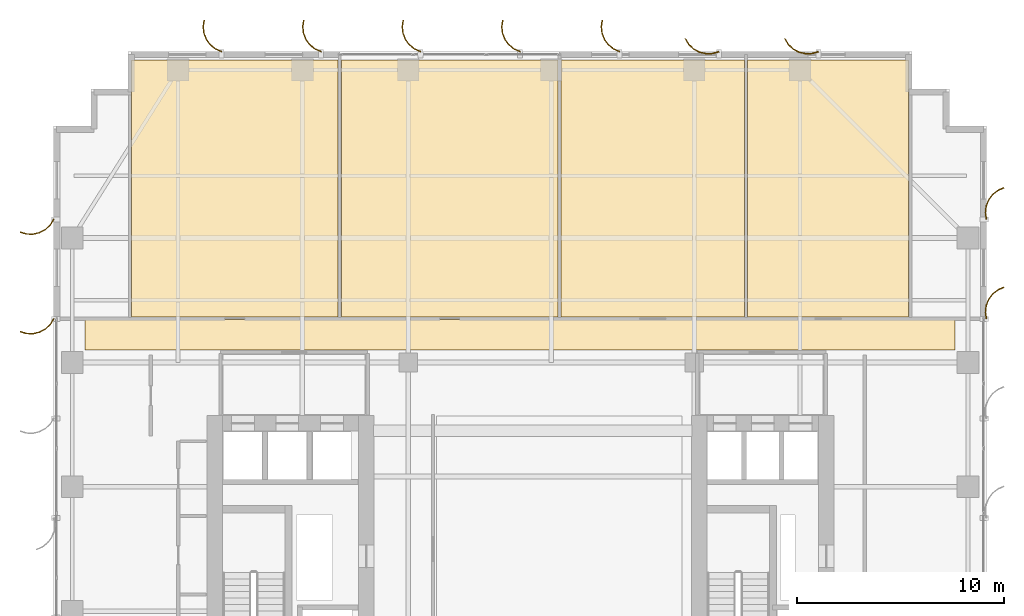
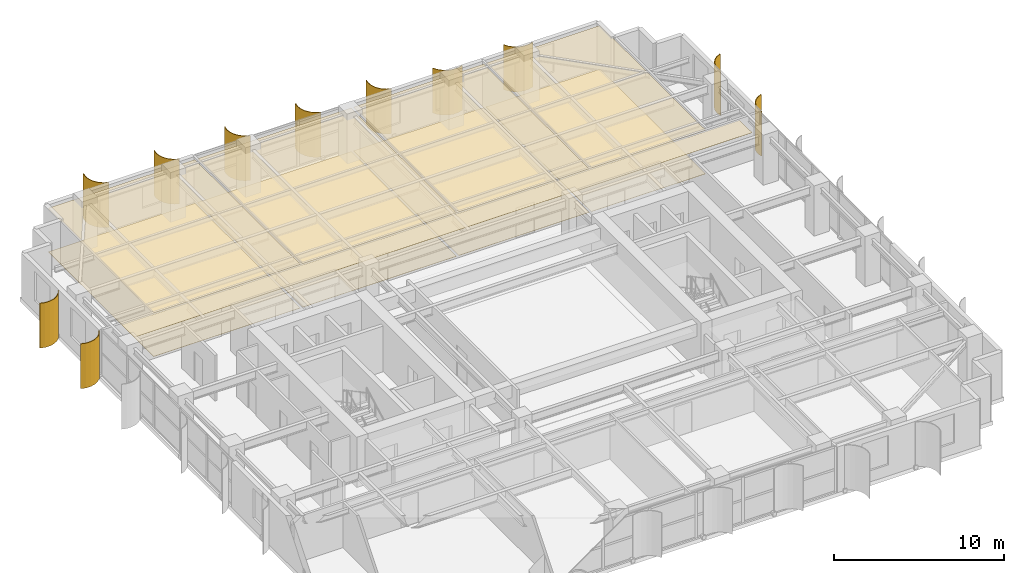
# One storey, part 28 of 28: 11 shading devices, 9 coverings.
"""IFC4 building model written with IfcOpenShell, lengths in metres."""

from ifc_helpers import new_model, si_unit, direction, frame, origin, place, context, subcontext, project, spatial, polyline, outline, extrude, source, transform, mapped, material, layer, layer_set, type_object, element, save


model = new_model("IFC4")

# Units and contexts
model_context = context("Model", 3, precision=1e-05, world=origin(), true_north=direction((0.0, 1.0)))
body_context = subcontext(model_context, "Body", "Model", "MODEL_VIEW")
ifc_project = project(units=[si_unit("LENGTHUNIT", "METRE"), si_unit("AREAUNIT", "SQUARE_METRE"), si_unit("VOLUMEUNIT", "CUBIC_METRE"), si_unit("PLANEANGLEUNIT", "RADIAN"), si_unit("MASSUNIT", "GRAM", prefix="KILO")], contexts=[model_context])

# Site, building, storey
site_placement = place(None, origin())
site = spatial("IfcSite", under=ifc_project, at=site_placement, CompositionType="ELEMENT")
building_placement = place(site_placement, origin())
building = spatial("IfcBuilding", under=site, at=building_placement, Name="Khoralis Quay Care Tower", CompositionType="ELEMENT")
storey_placement = place(building_placement, frame((0.0, 0.0, 144.89990234375)))
storey = spatial("IfcBuildingStorey", under=building, at=storey_placement, Name="L38", CompositionType="ELEMENT", Elevation=144.89990234375)

# Coverings
ifc_material_1 = material(Name="Mineral-fibre acoustic ceiling tile")
ifc_layer_1 = layer(ifc_material_1, 0.01806640625)
ifc_layer_set_1 = layer_set([ifc_layer_1], Name="Mineral-fibre acoustic ceiling tile")
covering_type_1 = type_object("IfcCoveringType", Name="COV-CEIL-AC18", PredefinedType="CEILING", material=ifc_layer_set_1)
covering_1_placement = place(storey_placement, frame((0.0, 0.0, 3.132080078125)))
element("IfcCovering", 1, at=covering_1_placement, inside=storey, type_object=covering_type_1, Name="Suspended Acoustic Ceiling SP-L38-CORR-N", PredefinedType="CEILING", context=body_context, shape_type="SweptSolid", body=[
    extrude(outline(polyline([(1.52001953125, 30.590087890625), (43.47998046875, 30.590087890625), (43.47998046875, 32.06005859375), (1.52001953125, 32.06005859375), (1.52001953125, 30.590087890625)])), origin(), (0.0, 0.0, 1.0), 0.01806640625),
])
covering_2_placement = place(storey_placement, frame((0.0, 0.0, 3.132080078125)))
element("IfcCovering", 2, at=covering_2_placement, inside=storey, type_object=covering_type_1, Name="Suspended Acoustic Ceiling SP-L38-NB-COM0", PredefinedType="CEILING", context=body_context, shape_type="SweptSolid", body=[
    extrude(outline(polyline([(3.760009765625, 32.179931640625), (13.719970703125, 32.179931640625), (13.719970703125, 44.580078125), (3.760009765625, 44.580078125), (3.760009765625, 32.179931640625)])), origin(), (0.0, 0.0, 1.0), 0.01806640625),
])
covering_3_placement = place(storey_placement, frame((0.0, 0.0, 3.132080078125)))
element("IfcCovering", 3, at=covering_3_placement, inside=storey, type_object=covering_type_1, Name="Suspended Acoustic Ceiling SP-L38-NB-COM1", PredefinedType="CEILING", context=body_context, shape_type="SweptSolid", body=[
    extrude(outline(polyline([(13.8798828125, 32.179931640625), (24.320068359375, 32.179931640625), (24.320068359375, 44.580078125), (13.8798828125, 44.580078125), (13.8798828125, 32.179931640625)])), origin(), (0.0, 0.0, 1.0), 0.01806640625),
])
covering_4_placement = place(storey_placement, frame((0.0, 0.0, 3.132080078125)))
element("IfcCovering", 4, at=covering_4_placement, inside=storey, type_object=covering_type_1, Name="Suspended Acoustic Ceiling SP-L38-NB-COM2", PredefinedType="CEILING", context=body_context, shape_type="SweptSolid", body=[
    extrude(outline(polyline([(24.47998046875, 32.179931640625), (33.320068359375, 32.179931640625), (33.320068359375, 44.580078125), (24.47998046875, 44.580078125), (24.47998046875, 32.179931640625)])), origin(), (0.0, 0.0, 1.0), 0.01806640625),
])
covering_5_placement = place(storey_placement, frame((0.0, 0.0, 3.132080078125)))
element("IfcCovering", 5, at=covering_5_placement, inside=storey, type_object=covering_type_1, Name="Suspended Acoustic Ceiling SP-L38-NB-COM3", PredefinedType="CEILING", context=body_context, shape_type="SweptSolid", body=[
    extrude(outline(polyline([(33.47998046875, 32.179931640625), (41.239990234375, 32.179931640625), (41.239990234375, 44.580078125), (33.47998046875, 44.580078125), (33.47998046875, 32.179931640625)])), origin(), (0.0, 0.0, 1.0), 0.01806640625),
])
ifc_material_2 = material(Name="Porcelain and non-slip vinyl flooring")
ifc_layer_2 = layer(ifc_material_2, 0.02001953125)
ifc_layer_set_2 = layer_set([ifc_layer_2], Name="Porcelain and non-slip vinyl flooring")
covering_type_2 = type_object("IfcCoveringType", Name="COV-FLOOR-20", PredefinedType="FLOORING", material=ifc_layer_set_2)
covering_6_placement = place(storey_placement, origin())
element("IfcCovering", 6, at=covering_6_placement, inside=storey, type_object=covering_type_2, Name="Resilient Healthcare Flooring SP-L38-NB-COM0", PredefinedType="FLOORING", context=body_context, shape_type="SweptSolid", body=[
    extrude(outline(polyline([(3.760009765625, 32.179931640625), (13.719970703125, 32.179931640625), (13.719970703125, 44.580078125), (3.760009765625, 44.580078125), (3.760009765625, 32.179931640625)])), origin(), (0.0, 0.0, 1.0), 0.02001953125),
])
covering_7_placement = place(storey_placement, origin())
element("IfcCovering", 7, at=covering_7_placement, inside=storey, type_object=covering_type_2, Name="Resilient Healthcare Flooring SP-L38-NB-COM1", PredefinedType="FLOORING", context=body_context, shape_type="SweptSolid", body=[
    extrude(outline(polyline([(13.8798828125, 32.179931640625), (24.320068359375, 32.179931640625), (24.320068359375, 44.580078125), (13.8798828125, 44.580078125), (13.8798828125, 32.179931640625)])), origin(), (0.0, 0.0, 1.0), 0.02001953125),
])
covering_8_placement = place(storey_placement, origin())
element("IfcCovering", 8, at=covering_8_placement, inside=storey, type_object=covering_type_2, Name="Resilient Healthcare Flooring SP-L38-NB-COM2", PredefinedType="FLOORING", context=body_context, shape_type="SweptSolid", body=[
    extrude(outline(polyline([(24.47998046875, 32.179931640625), (33.320068359375, 32.179931640625), (33.320068359375, 44.580078125), (24.47998046875, 44.580078125), (24.47998046875, 32.179931640625)])), origin(), (0.0, 0.0, 1.0), 0.02001953125),
])
covering_9_placement = place(storey_placement, origin())
element("IfcCovering", 9, at=covering_9_placement, inside=storey, type_object=covering_type_2, Name="Resilient Healthcare Flooring SP-L38-NB-COM3", PredefinedType="FLOORING", context=body_context, shape_type="SweptSolid", body=[
    extrude(outline(polyline([(33.47998046875, 32.179931640625), (41.239990234375, 32.179931640625), (41.239990234375, 44.580078125), (33.47998046875, 44.580078125), (33.47998046875, 32.179931640625)])), origin(), (0.0, 0.0, 1.0), 0.02001953125),
])

# Shading devices
ifc_material_3 = material(Name="Brushed pale anodised aluminium", Category="aluminium")
ifc_layer_3 = layer(ifc_material_3, 0.044921875)
ifc_layer_set_3 = layer_set([ifc_layer_3], Name="Brushed pale anodised aluminium")
shading_device_type = type_object("IfcShadingDeviceType", Name="SHD-FIN-1250", PredefinedType="USERDEFINED", material=ifc_layer_set_3)
shared_shape_1 = source(origin(), body_context, "Body", "SweptSolid", [
    extrude(outline(polyline([(0.0, 0.0), (0.17041015625, 0.2783203125), (0.4072265625, 0.5029296875), (0.694091796875, 0.658447265625), (1.01123046875, 0.734619140625), (1.33740234375, 0.72607421875), (1.650390625, 0.633544921875), (1.632080078125, 0.59228515625), (1.330322265625, 0.681640625), (1.015869140625, 0.68994140625), (0.710205078125, 0.616455078125), (0.43359375, 0.466552734375), (0.20556640625, 0.25), (0.041015625, -0.018310546875), (0.0, 0.0)])), origin(), (0.0, 0.0, 1.0), 3.219970703125),
])
for number, where, z_axis, x_axis, name in (
    (10, (0.030029296875, 36.89990234375, 0.02001953125), (0.0, 0.0, 1.0), (-1.0, 0.0, 0.0), "L38 Curved Solar Fin P1E15-01"),
    (11, (0.030029296875, 32.10009765625, 0.02001953125), (0.0, 0.0, 1.0), (-1.0, 0.0, 0.0), "L38 Curved Solar Fin P1E15-02"),
):
    element("IfcShadingDevice", number, at=place(storey_placement, frame(where, z_axis=z_axis, x_axis=x_axis)), inside=storey, type_object=shading_device_type, Name=name, ObjectType="FIN", PredefinedType="USERDEFINED", context=body_context, shape_type="MappedRepresentation", body=[
        mapped(shared_shape_1, transform((0.0, 0.0, 0.0), scale=1.0)),
    ])
shared_shape_2 = source(origin(), body_context, "Body", "SweptSolid", [
    extrude(outline(polyline([(0.0, 0.0), (-0.04833984375, 0.32275390625), (-0.01123046875, 0.64697265625), (0.1083984375, 0.950439453125), (0.302490234375, 1.212890625), (0.557861328125, 1.416015625), (0.85693359375, 1.546142578125), (0.869384765625, 1.5029296875), (0.5810546875, 1.37744140625), (0.334716796875, 1.181640625), (0.147705078125, 0.9287109375), (0.032470703125, 0.635986328125), (-0.003173828125, 0.323486328125), (0.043212890625, 0.012451171875), (0.0, 0.0)])), origin(), (0.0, 0.0, 1.0), 3.219970703125),
])
for number, where, z_axis, x_axis, name in (
    (12, (44.969970703125, 32.10009765625, 0.02001953125), (0.0, 0.0, 1.0), (1.0, 0.0, 0.0), "L38 Curved Solar Fin P1E5-06"),
    (13, (44.969970703125, 36.89990234375, 0.02001953125), (0.0, 0.0, 1.0), (1.0, 0.0, 0.0), "L38 Curved Solar Fin P1E5-07"),
):
    element("IfcShadingDevice", number, at=place(storey_placement, frame(where, z_axis=z_axis, x_axis=x_axis)), inside=storey, type_object=shading_device_type, Name=name, ObjectType="FIN", PredefinedType="USERDEFINED", context=body_context, shape_type="MappedRepresentation", body=[
        mapped(shared_shape_2, transform((0.0, 0.0, 0.0), scale=1.0)),
    ])
shared_shape_3 = source(origin(), body_context, "Body", "SweptSolid", [
    extrude(outline(polyline([(0.0, 0.0), (-0.0927734375, 0.31298828125), (-0.101318359375, 0.63916015625), (-0.025146484375, 0.956298828125), (0.130615234375, 1.2431640625), (0.355224609375, 1.479736328125), (0.633544921875, 1.650390625), (0.65185546875, 1.609130859375), (0.383544921875, 1.44482421875), (0.1669921875, 1.216796875), (0.01708984375, 0.940185546875), (-0.056396484375, 0.63427734375), (-0.04833984375, 0.31982421875), (0.041015625, 0.018310546875), (0.0, 0.0)])), origin(), (0.0, 0.0, 1.0), 3.219970703125),
])
for number, where, z_axis, x_axis, name in (
    (14, (36.89990234375, 44.969970703125, 0.02001953125), (0.0, 0.0, 1.0), (0.0, 1.0, 0.0), "L38 Curved Solar Fin P1E10-01"),
    (15, (32.10009765625, 44.969970703125, 0.02001953125), (0.0, 0.0, 1.0), (0.0, 1.0, 0.0), "L38 Curved Solar Fin P1E10-02"),
):
    element("IfcShadingDevice", number, at=place(storey_placement, frame(where, z_axis=z_axis, x_axis=x_axis)), inside=storey, type_object=shading_device_type, Name=name, ObjectType="FIN", PredefinedType="USERDEFINED", context=body_context, shape_type="MappedRepresentation", body=[
        mapped(shared_shape_3, transform((0.0, 0.0, 0.0), scale=1.0)),
    ])
shared_shape_4 = source(origin(), body_context, "Body", "SweptSolid", [
    extrude(outline(polyline([(0.0, 0.0), (0.130126953125, 0.29931640625), (0.333251953125, 0.5546875), (0.595458984375, 0.748779296875), (0.899169921875, 0.868408203125), (1.223388671875, 0.9052734375), (1.546142578125, 0.85693359375), (1.53369140625, 0.813720703125), (1.22265625, 0.8603515625), (0.91015625, 0.82470703125), (0.617431640625, 0.70947265625), (0.364501953125, 0.522216796875), (0.168701171875, 0.276123046875), (0.043212890625, -0.012451171875), (0.0, 0.0)])), origin(), (0.0, 0.0, 1.0), 3.219970703125),
])
for number, where, z_axis, x_axis, name in (
    (16, (27.300048828125, 44.969970703125, 0.02001953125), (0.0, 0.0, 1.0), (0.0, 1.0, 0.0), "L38 Curved Solar Fin P1E10-03"),
    (17, (22.5, 44.969970703125, 0.02001953125), (0.0, 0.0, 1.0), (0.0, 1.0, 0.0), "L38 Curved Solar Fin P1E10-04"),
    (18, (17.699951171875, 44.969970703125, 0.02001953125), (0.0, 0.0, 1.0), (0.0, 1.0, 0.0), "L38 Curved Solar Fin P1E10-05"),
    (19, (12.89990234375, 44.969970703125, 0.02001953125), (0.0, 0.0, 1.0), (0.0, 1.0, 0.0), "L38 Curved Solar Fin P1E10-06"),
    (20, (8.10009765625, 44.969970703125, 0.02001953125), (0.0, 0.0, 1.0), (0.0, 1.0, 0.0), "L38 Curved Solar Fin P1E10-07"),
):
    element("IfcShadingDevice", number, at=place(storey_placement, frame(where, z_axis=z_axis, x_axis=x_axis)), inside=storey, type_object=shading_device_type, Name=name, ObjectType="FIN", PredefinedType="USERDEFINED", context=body_context, shape_type="MappedRepresentation", body=[
        mapped(shared_shape_4, transform((0.0, 0.0, 0.0), scale=1.0)),
    ])

save(model, "model.ifc")
